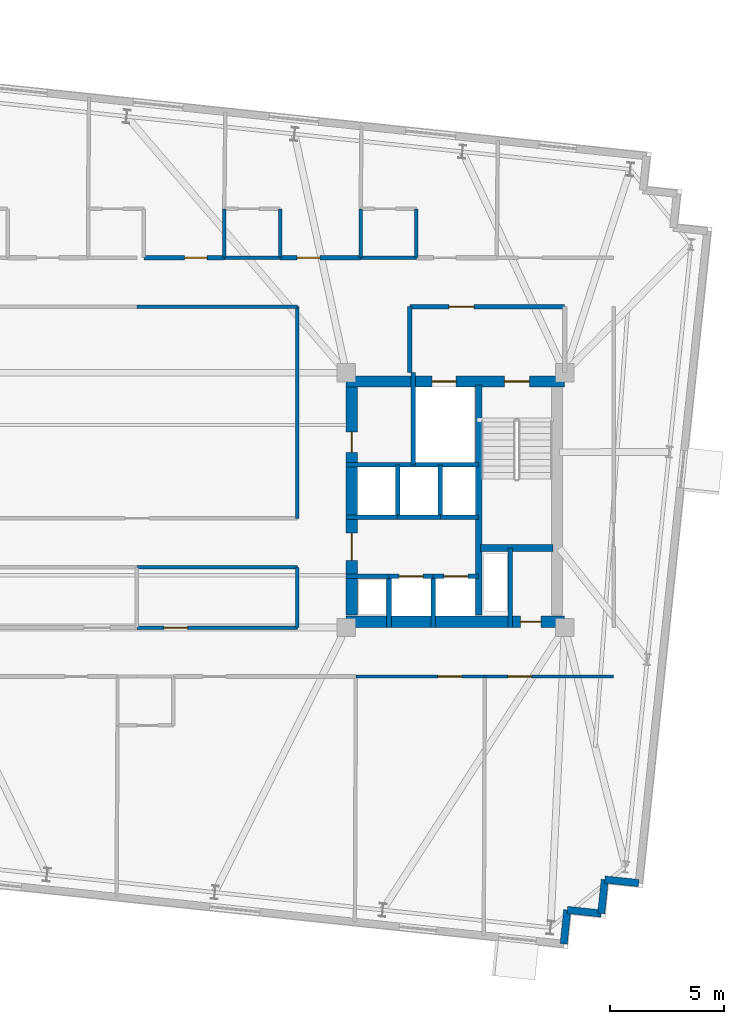
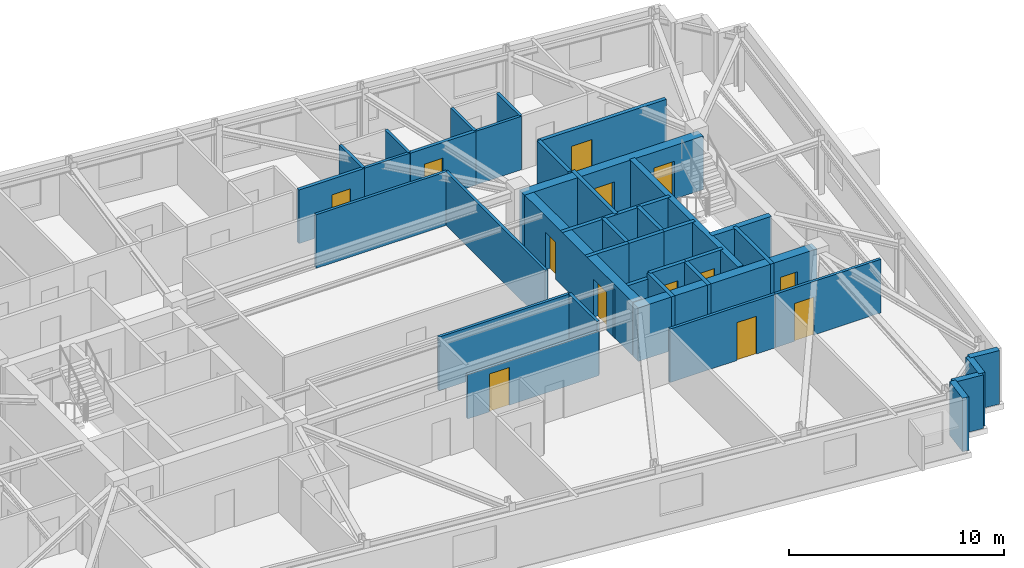
# One storey, part 8 of 12: 39 walls, 13 doors, 13 openings.
"""IFC4 building model written with IfcOpenShell, lengths in metres."""

from ifc_helpers import new_model, si_unit, direction, frame, frame_2d, origin, place, context, subcontext, project, spatial, rectangle, extrude, material, layer, layer_set, type_object, element, fill, save


model = new_model("IFC4")

# Units and contexts
model_context = context("Model", 3, precision=1e-05, world=origin(), true_north=direction((0.0, 1.0)))
body_context = subcontext(model_context, "Body", "Model", "MODEL_VIEW")
ifc_project = project(units=[si_unit("LENGTHUNIT", "METRE"), si_unit("AREAUNIT", "SQUARE_METRE"), si_unit("VOLUMEUNIT", "CUBIC_METRE"), si_unit("PLANEANGLEUNIT", "RADIAN"), si_unit("MASSUNIT", "GRAM", prefix="KILO")], contexts=[model_context])

# Site, building, storey
site_placement = place(None, origin())
site = spatial("IfcSite", under=ifc_project, at=site_placement, CompositionType="ELEMENT")
building_placement = place(site_placement, origin())
building = spatial("IfcBuilding", under=site, at=building_placement, Name="Qobustan Lattice House", CompositionType="ELEMENT")
storey_placement = place(building_placement, frame((0.0, 0.0, 189.699951171875)))
storey = spatial("IfcBuildingStorey", under=building, at=storey_placement, Name="L53", CompositionType="ELEMENT", Elevation=189.699951171875)

# Wall, openings, doors
ifc_material_1 = material(Name="Concrete C50/60", Category="concrete")
ifc_layer_1 = layer(ifc_material_1, 0.5)
ifc_layer_set_1 = layer_set([ifc_layer_1], Name="Concrete C50/60")
wall_type_1 = type_object("IfcWallType", Name="WAL-CORE-500", PredefinedType="SHEAR", material=ifc_layer_set_1)
wall_1_placement = place(storey_placement, frame((9.199951171875, 5.2099609375, 0.0), z_axis=(0.0, 0.0, 1.0), x_axis=(1.0, 0.0, 0.0)))
wall_1 = element("IfcWall", 1, at=wall_1_placement, inside=storey, type_object=wall_type_1, Name="L53 split-core shear wall CE-N", PredefinedType="SHEAR", context=body_context, shape_type="SweptSolid", body=[
    extrude(rectangle(XDim=9.60009765625, YDim=0.5, at=frame_2d((4.800048828125, 0.0))), origin(), (0.0, 0.0, 1.0), 3.0400390625),
])
opening_1_placement = place(wall_1_placement, frame((6.949951171875, 0.0, 0.0)))
opening_1 = element("IfcOpeningElement", 2, at=opening_1_placement, cuts=wall_1, Name="Opening SD-01", PredefinedType="OPENING", context=body_context, shape_type="SweptSolid", body=[
    extrude(rectangle(XDim=1.10009765625, YDim=2.14990234375, at=frame_2d((0.550048828125, 1.074951171875))), frame((0.0, 0.260009765625, 0.0), z_axis=(0.0, -1.0, 0.0), x_axis=(1.0, 0.0, 0.0)), (0.0, 0.0, 1.0), 0.52001953125),
])
opening_2_placement = place(wall_1_placement, frame((3.77490234375, 0.0, 0.0)))
opening_2 = element("IfcOpeningElement", 3, at=opening_2_placement, cuts=wall_1, Name="Opening LD-01", PredefinedType="OPENING", context=body_context, shape_type="SweptSolid", body=[
    extrude(rectangle(XDim=1.050048828125, YDim=2.10009765625, at=frame_2d((0.52490234375, 1.050048828125))), frame((0.0, 0.260009765625, 0.0), z_axis=(0.0, -1.0, 0.0), x_axis=(1.0, 0.0, 0.0)), (0.0, 0.0, 1.0), 0.52001953125),
])
ifc_material_2 = material(Name="Persian walnut timber and steel frame door", Category="steel")
door_type_1 = type_object("IfcDoorType", Name="DOR-LIFT-LD-1050x2100", OperationType="NOTDEFINED", PredefinedType="DOOR", material=ifc_material_2)
door_1_placement = place(opening_2_placement, origin())
door_1 = element("IfcDoor", 4, at=door_1_placement, inside=storey, type_object=door_type_1, Name="L53 firefighting lift FF-E landing door", OperationType="DOUBLE_DOOR_SLIDING", OverallHeight=2.10009765625, OverallWidth=1.050048828125, PredefinedType="DOOR", context=body_context, shape_type="SweptSolid", body=[
    extrude(rectangle(XDim=1.050048828125, YDim=2.10009765625, at=frame_2d((0.52490234375, 1.050048828125))), frame((0.0, 0.02490234375, 0.0), z_axis=(0.0, -1.0, 0.0), x_axis=(1.0, 0.0, 0.0)), (0.0, 0.0, 1.0), 0.050048828125),
])
fill(opening_2, door_1)
ifc_material_3 = material(Name="Persian walnut timber and steel frame door", Category="steel")
door_type_2 = type_object("IfcDoorType", Name="DOR-STAIR-FD-1100x2150", OperationType="NOTDEFINED", PredefinedType="DOOR", material=ifc_material_3)
door_2_placement = place(opening_1_placement, origin())
door_2 = element("IfcDoor", 5, at=door_2_placement, inside=storey, type_object=door_type_2, Name="L53 exit stair ST-E1 fire door", OperationType="SINGLE_SWING_RIGHT", OverallHeight=2.14990234375, OverallWidth=1.10009765625, PredefinedType="DOOR", context=body_context, shape_type="SweptSolid", body=[
    extrude(rectangle(XDim=1.10009765625, YDim=2.14990234375, at=frame_2d((0.550048828125, 1.074951171875))), frame((0.0, 0.02490234375, 0.0), z_axis=(0.0, -1.0, 0.0), x_axis=(1.0, 0.0, 0.0)), (0.0, 0.0, 1.0), 0.050048828125),
])
fill(opening_1, door_2)

# Wall, opening, door
wall_2_placement = place(storey_placement, frame((9.199951171875, -5.35009765625, 0.0), z_axis=(0.0, 0.0, 1.0), x_axis=(1.0, 0.0, 0.0)))
wall_2 = element("IfcWall", 6, at=wall_2_placement, inside=storey, type_object=wall_type_1, Name="L53 split-core shear wall CE-S", PredefinedType="SHEAR", context=body_context, shape_type="SweptSolid", body=[
    extrude(rectangle(XDim=9.60009765625, YDim=0.5, at=frame_2d((4.800048828125, 0.0))), origin(), (0.0, 0.0, 1.0), 3.0400390625),
])
opening_3_placement = place(wall_2_placement, frame((7.64990234375, 0.0, 0.0)))
opening_3 = element("IfcOpeningElement", 7, at=opening_3_placement, cuts=wall_2, Name="Opening RD-01", PredefinedType="OPENING", context=body_context, shape_type="SweptSolid", body=[
    extrude(rectangle(XDim=0.89990234375, YDim=2.10009765625, at=frame_2d((0.449951171875, 1.050048828125))), frame((0.0, 0.260009765625, 0.0), z_axis=(0.0, -1.0, 0.0), x_axis=(1.0, 0.0, 0.0)), (0.0, 0.0, 1.0), 0.52001953125),
])
ifc_material_4 = material(Name="Persian walnut timber and steel frame door", Category="steel")
door_type_3 = type_object("IfcDoorType", Name="DOR-RISER-FD-900x2100", OperationType="NOTDEFINED", PredefinedType="DOOR", material=ifc_material_4)
door_3_placement = place(opening_3_placement, origin())
door_3 = element("IfcDoor", 8, at=door_3_placement, inside=storey, type_object=door_type_3, Name="L53 core service riser access door E", OperationType="SINGLE_SWING_RIGHT", OverallHeight=2.10009765625, OverallWidth=0.89990234375, PredefinedType="DOOR", context=body_context, shape_type="SweptSolid", body=[
    extrude(rectangle(XDim=0.89990234375, YDim=2.10009765625, at=frame_2d((0.449951171875, 1.050048828125))), frame((0.0, 0.02490234375, 0.0), z_axis=(0.0, -1.0, 0.0), x_axis=(1.0, 0.0, 0.0)), (0.0, 0.0, 1.0), 0.050048828125),
])
fill(opening_3, door_3)

# Wall, openings, doors
wall_3_placement = place(storey_placement, frame((9.449951171875, -5.050048828125, 0.0), z_axis=(0.0, 0.0, 1.0), x_axis=(0.0, 1.0, 0.0)))
wall_3 = element("IfcWall", 9, at=wall_3_placement, inside=storey, type_object=wall_type_1, Name="L53 split-core shear wall CE-W", PredefinedType="SHEAR", context=body_context, shape_type="SweptSolid", body=[
    extrude(rectangle(XDim=10.10009765625, YDim=0.5, at=frame_2d((5.050048828125, 0.0))), origin(), (0.0, 0.0, 1.0), 3.0400390625),
])
opening_4_placement = place(wall_3_placement, frame((7.14990234375, 0.0, 0.0)))
opening_4 = element("IfcOpeningElement", 10, at=opening_4_placement, cuts=wall_3, Name="Opening RD-01", PredefinedType="OPENING", context=body_context, shape_type="SweptSolid", body=[
    extrude(rectangle(XDim=0.89990234375, YDim=2.10009765625, at=frame_2d((0.449951171875, 1.050048828125))), frame((0.0, 0.260009765625, 0.0), z_axis=(0.0, -1.0, 0.0), x_axis=(1.0, 0.0, 0.0)), (0.0, 0.0, 1.0), 0.52001953125),
])
opening_5_placement = place(wall_3_placement, frame((2.39990234375, 0.0, 0.0)))
opening_5 = element("IfcOpeningElement", 11, at=opening_5_placement, cuts=wall_3, Name="Opening FD-01", PredefinedType="OPENING", context=body_context, shape_type="SweptSolid", body=[
    extrude(rectangle(XDim=1.199951171875, YDim=2.14990234375, at=frame_2d((0.60009765625, 1.074951171875))), frame((0.0, 0.260009765625, 0.0), z_axis=(0.0, -1.0, 0.0), x_axis=(1.0, 0.0, 0.0)), (0.0, 0.0, 1.0), 0.52001953125),
])
ifc_material_5 = material(Name="Persian walnut timber and steel frame door", Category="steel")
door_type_4 = type_object("IfcDoorType", Name="DOR-LOBBY-FD-1200x2150", OperationType="NOTDEFINED", PredefinedType="DOOR", material=ifc_material_5)
door_4_placement = place(opening_5_placement, origin())
door_4 = element("IfcDoor", 12, at=door_4_placement, inside=storey, type_object=door_type_4, Name="L53 East passenger lift lobby fire door", OperationType="SINGLE_SWING_LEFT", OverallHeight=2.14990234375, OverallWidth=1.199951171875, PredefinedType="DOOR", context=body_context, shape_type="SweptSolid", body=[
    extrude(rectangle(XDim=1.199951171875, YDim=2.14990234375, at=frame_2d((0.60009765625, 1.074951171875))), frame((0.0, 0.02490234375, 0.0), z_axis=(0.0, -1.0, 0.0), x_axis=(1.0, 0.0, 0.0)), (0.0, 0.0, 1.0), 0.050048828125),
])
fill(opening_5, door_4)
door_5_placement = place(opening_4_placement, origin())
door_5 = element("IfcDoor", 13, at=door_5_placement, inside=storey, type_object=door_type_3, Name="L53 Housekeeping linen store fire door", OperationType="SINGLE_SWING_RIGHT", OverallHeight=2.10009765625, OverallWidth=0.89990234375, PredefinedType="DOOR", context=body_context, shape_type="SweptSolid", body=[
    extrude(rectangle(XDim=0.89990234375, YDim=2.10009765625, at=frame_2d((0.449951171875, 1.050048828125))), frame((0.0, 0.02490234375, 0.0), z_axis=(0.0, -1.0, 0.0), x_axis=(1.0, 0.0, 0.0)), (0.0, 0.0, 1.0), 0.050048828125),
])
fill(opening_4, door_5)

# Walls
ifc_material_6 = material(Name="Concrete C50/60", Category="concrete")
ifc_layer_2 = layer(ifc_material_6, 0.280029296875)
ifc_layer_set_2 = layer_set([ifc_layer_2], Name="Concrete C50/60")
wall_type_2 = type_object("IfcWallType", Name="WAL-CORE-SPINE-280", PredefinedType="SHEAR", material=ifc_layer_set_2)
wall_4_placement = place(storey_placement, frame((15.02001953125, -5.050048828125, 0.0), z_axis=(0.0, 0.0, 1.0), x_axis=(0.0, 1.0, 0.0)))
element("IfcWall", 14, at=wall_4_placement, inside=storey, type_object=wall_type_2, Name="L53 split-core shear wall CE-M", PredefinedType="SHEAR", context=body_context, shape_type="SweptSolid", body=[
    extrude(rectangle(XDim=10.10009765625, YDim=0.300048828125, at=frame_2d((5.050048828125, 0.0))), origin(), (0.0, 0.0, 1.0), 3.0400390625),
])
wall_5_placement = place(storey_placement, frame((15.10009765625, -2.110107421875, 0.0), z_axis=(0.0, 0.0, 1.0), x_axis=(1.0, 0.0, 0.0)))
element("IfcWall", 15, at=wall_5_placement, inside=storey, type_object=wall_type_2, Name="L53 split-core shear wall CE-ST", PredefinedType="SHEAR", context=body_context, shape_type="SweptSolid", body=[
    extrude(rectangle(XDim=3.179931640625, YDim=0.300048828125, at=frame_2d((1.58984375, 0.0))), origin(), (0.0, 0.0, 1.0), 3.0400390625),
])
ifc_material_7 = material(Name="Precast concrete C40/50", Category="concrete")
ifc_layer_3 = layer(ifc_material_7, 0.320068359375)
ifc_layer_set_3 = layer_set([ifc_layer_3], Name="Precast concrete C40/50")
wall_type_3 = type_object("IfcWallType", Name="WAL-EXT-STONE-320", PredefinedType="SOLIDWALL", material=ifc_layer_set_3)
wall_6_placement = place(storey_placement, frame((22.052978515625, -16.828369140625, 0.0), z_axis=(0.0, 0.0, 1.0), x_axis=(-0.994526834051, 0.104481464157, 0.0)))
element("IfcWall", 16, at=wall_6_placement, inside=storey, type_object=wall_type_3, Name="L53 exterior limestone-clad wall 16", PredefinedType="SOLIDWALL", context=body_context, shape_type="SweptSolid", body=[
    extrude(rectangle(XDim=1.500244140625, YDim=0.320068359375, at=frame_2d((0.75, 0.0))), origin(), (0.0, 0.0, 1.0), 3.0400390625),
])
for number, where, z_axis, x_axis, name in (
    (17, (20.56103515625, -16.671630859375, 0.0), (0.0, 0.0, 1.0), (-0.104498377516, -0.994525057048, 0.0), "L53 exterior limestone-clad wall 17"),
    (18, (20.404296875, -18.163330078125, 0.0), (0.0, 0.0, 1.0), (-0.994525057048, 0.104498377516, 0.0), "L53 exterior limestone-clad wall 18"),
    (19, (18.91259765625, -18.006591796875, 0.0), (0.0, 0.0, 1.0), (-0.104498377516, -0.994525057048, 0.0), "L53 exterior limestone-clad wall 19"),
):
    element("IfcWall", number, at=place(storey_placement, frame(where, z_axis=z_axis, x_axis=x_axis)), inside=storey, type_object=wall_type_3, Name=name, PredefinedType="SOLIDWALL", context=body_context, shape_type="SweptSolid", body=[
        extrude(rectangle(XDim=1.5, YDim=0.320068359375, at=frame_2d((0.75, 0.0))), origin(), (0.0, 0.0, 1.0), 3.0400390625),
    ])

# Wall, opening, door
ifc_material_8 = material(Name="Gypsum fireboard acoustic partition", Category="gypsum")
ifc_layer_4 = layer(ifc_material_8, 0.179931640625)
ifc_layer_set_4 = layer_set([ifc_layer_4], Name="Gypsum fireboard acoustic partition")
wall_type_4 = type_object("IfcWallType", Name="WAL-FIRE-180", PredefinedType="PARTITIONING", material=ifc_layer_set_4)
wall_7_placement = place(storey_placement, frame((0.306884765625, 10.64990234375, 0.0), z_axis=(0.0, 0.0, 1.0), x_axis=(1.0, 0.0, 0.0)))
wall_7 = element("IfcWall", 20, at=wall_7_placement, inside=storey, type_object=wall_type_4, Name="L53 interior partition 40", PredefinedType="PARTITIONING", context=body_context, shape_type="SweptSolid", body=[
    extrude(rectangle(XDim=3.5361328125, YDim=0.179931640625, at=frame_2d((1.76806640625, 0.0))), origin(), (0.0, 0.0, 1.0), 3.0400390625),
])
opening_6_placement = place(wall_7_placement, frame((1.783935546875, 0.0, 0.0)))
opening_6 = element("IfcOpeningElement", 21, at=opening_6_placement, cuts=wall_7, Name="Opening FD-02", PredefinedType="OPENING", context=body_context, shape_type="SweptSolid", body=[
    extrude(rectangle(XDim=1.0, YDim=2.14990234375, at=frame_2d((0.5, 1.074951171875))), frame((0.0, 0.099853515625, 0.0), z_axis=(0.0, -1.0, 0.0), x_axis=(1.0, 0.0, 0.0)), (0.0, 0.0, 1.0), 0.199951171875),
])
ifc_material_9 = material(Name="Persian walnut timber and steel frame door", Category="steel")
door_type_5 = type_object("IfcDoorType", Name="DOR-UNIT-FD-1000x2150", OperationType="NOTDEFINED", PredefinedType="DOOR", material=ifc_material_9)
door_6_placement = place(opening_6_placement, origin())
door_6 = element("IfcDoor", 22, at=door_6_placement, inside=storey, type_object=door_type_5, Name="L53 North-east floor corridor to Kitchenette and studio apartment L53-N4 door", OperationType="SINGLE_SWING_LEFT", OverallHeight=2.14990234375, OverallWidth=1.0, PredefinedType="DOOR", context=body_context, shape_type="SweptSolid", body=[
    extrude(rectangle(XDim=1.0, YDim=2.14990234375, at=frame_2d((0.5, 1.074951171875))), frame((0.0, 0.02490234375, 0.0), z_axis=(0.0, -1.0, 0.0), x_axis=(1.0, 0.0, 0.0)), (0.0, 0.0, 1.0), 0.050048828125),
])
fill(opening_6, door_6)

wall_8_placement = place(storey_placement, frame((6.29296875, 10.64990234375, 0.0), z_axis=(0.0, 0.0, 1.0), x_axis=(1.0, 0.0, 0.0)))
wall_8 = element("IfcWall", 23, at=wall_8_placement, inside=storey, type_object=wall_type_4, Name="L53 interior partition 41", PredefinedType="PARTITIONING", context=body_context, shape_type="SweptSolid", body=[
    extrude(rectangle(XDim=3.5361328125, YDim=0.179931640625, at=frame_2d((1.76806640625, 0.0))), origin(), (0.0, 0.0, 1.0), 3.0400390625),
])
opening_7_placement = place(wall_8_placement, frame((0.751953125, 0.0, 0.0)))
opening_7 = element("IfcOpeningElement", 24, at=opening_7_placement, cuts=wall_8, Name="Opening FD-02", PredefinedType="OPENING", context=body_context, shape_type="SweptSolid", body=[
    extrude(rectangle(XDim=1.0, YDim=2.14990234375, at=frame_2d((0.5, 1.074951171875))), frame((0.0, 0.099853515625, 0.0), z_axis=(0.0, -1.0, 0.0), x_axis=(1.0, 0.0, 0.0)), (0.0, 0.0, 1.0), 0.199951171875),
])
door_7_placement = place(opening_7_placement, origin())
door_7 = element("IfcDoor", 25, at=door_7_placement, inside=storey, type_object=door_type_5, Name="L53 North-east floor corridor to Kitchenette and studio apartment L53-N5 door", OperationType="SINGLE_SWING_RIGHT", OverallHeight=2.14990234375, OverallWidth=1.0, PredefinedType="DOOR", context=body_context, shape_type="SweptSolid", body=[
    extrude(rectangle(XDim=1.0, YDim=2.14990234375, at=frame_2d((0.5, 1.074951171875))), frame((0.0, 0.02490234375, 0.0), z_axis=(0.0, -1.0, 0.0), x_axis=(1.0, 0.0, 0.0)), (0.0, 0.0, 1.0), 0.050048828125),
])
fill(opening_7, door_7)

# Wall
ifc_material_10 = material(Name="Acoustic twin-stud gypsum partition", Category="gypsum")
ifc_layer_5 = layer(ifc_material_10, 0.14990234375)
ifc_layer_set_5 = layer_set([ifc_layer_5], Name="Acoustic twin-stud gypsum partition")
wall_type_5 = type_object("IfcWallType", Name="WAL-PART-150", PredefinedType="PARTITIONING", material=ifc_layer_set_5)
wall_9_placement = place(storey_placement, frame((7.050048828125, 8.5, 0.0), z_axis=(0.0, 0.0, 1.0), x_axis=(-1.0, 0.0, 0.0)))
element("IfcWall", 26, at=wall_9_placement, inside=storey, type_object=wall_type_5, Name="L53 interior partition 46", PredefinedType="PARTITIONING", context=body_context, shape_type="SweptSolid", body=[
    extrude(rectangle(XDim=7.050048828125, YDim=0.14990234375, at=frame_2d((3.52490234375, 0.0))), origin(), (0.0, 0.0, 1.0), 3.0400390625),
])

# Wall, opening, door
wall_10_placement = place(storey_placement, frame((15.28759765625, -7.75, 0.0), z_axis=(0.0, 0.0, 1.0), x_axis=(-1.0, 0.0, 0.0)))
wall_10 = element("IfcWall", 27, at=wall_10_placement, inside=storey, type_object=wall_type_5, Name="L53 interior partition 55", PredefinedType="PARTITIONING", context=body_context, shape_type="SweptSolid", body=[
    extrude(rectangle(XDim=5.66259765625, YDim=0.14990234375, at=frame_2d((2.831298828125, 0.0))), origin(), (0.0, 0.0, 1.0), 3.0400390625),
])
opening_8_placement = place(wall_10_placement, frame((1.01171875, 0.0, 0.0)))
opening_8 = element("IfcOpeningElement", 28, at=opening_8_placement, cuts=wall_10, Name="Opening ID-02", PredefinedType="OPENING", context=body_context, shape_type="SweptSolid", body=[
    extrude(rectangle(XDim=1.050048828125, YDim=2.14990234375, at=frame_2d((0.52490234375, 1.074951171875))), frame((0.0, 0.0849609375, 0.0), z_axis=(0.0, -1.0, 0.0), x_axis=(1.0, 0.0, 0.0)), (0.0, 0.0, 1.0), 0.169921875),
])
ifc_material_11 = material(Name="Persian walnut timber and steel frame door", Category="steel")
door_type_6 = type_object("IfcDoorType", Name="DOR-STUDY-1050x2150", OperationType="NOTDEFINED", PredefinedType="DOOR", material=ifc_material_11)
door_8_placement = place(opening_8_placement, origin())
door_8 = element("IfcDoor", 29, at=door_8_placement, inside=storey, type_object=door_type_6, Name="L53 South-east floor corridor to Group study room door", OperationType="SINGLE_SWING_RIGHT", OverallHeight=2.14990234375, OverallWidth=1.050048828125, PredefinedType="DOOR", context=body_context, shape_type="SweptSolid", body=[
    extrude(rectangle(XDim=1.050048828125, YDim=2.14990234375, at=frame_2d((0.52490234375, 1.074951171875))), frame((0.0, 0.02490234375, 0.0), z_axis=(0.0, -1.0, 0.0), x_axis=(1.0, 0.0, 0.0)), (0.0, 0.0, 1.0), 0.050048828125),
])
fill(opening_8, door_8)

wall_11_placement = place(storey_placement, frame((20.949951171875, -7.75, 0.0), z_axis=(0.0, 0.0, 1.0), x_axis=(-1.0, 0.0, 0.0)))
wall_11 = element("IfcWall", 30, at=wall_11_placement, inside=storey, type_object=wall_type_5, Name="L53 interior partition 56", PredefinedType="PARTITIONING", context=body_context, shape_type="SweptSolid", body=[
    extrude(rectangle(XDim=5.662353515625, YDim=0.14990234375, at=frame_2d((2.8310546875, 0.0))), origin(), (0.0, 0.0, 1.0), 3.0400390625),
])
opening_9_placement = place(wall_11_placement, frame((3.600830078125, 0.0, 0.0)))
opening_9 = element("IfcOpeningElement", 31, at=opening_9_placement, cuts=wall_11, Name="Opening ID-02", PredefinedType="OPENING", context=body_context, shape_type="SweptSolid", body=[
    extrude(rectangle(XDim=1.050048828125, YDim=2.14990234375, at=frame_2d((0.52490234375, 1.074951171875))), frame((0.0, 0.0849609375, 0.0), z_axis=(0.0, -1.0, 0.0), x_axis=(1.0, 0.0, 0.0)), (0.0, 0.0, 1.0), 0.169921875),
])
door_9_placement = place(opening_9_placement, origin())
door_9 = element("IfcDoor", 32, at=door_9_placement, inside=storey, type_object=door_type_6, Name="L53 South-east floor corridor to Academic seminar room door", OperationType="SINGLE_SWING_LEFT", OverallHeight=2.14990234375, OverallWidth=1.050048828125, PredefinedType="DOOR", context=body_context, shape_type="SweptSolid", body=[
    extrude(rectangle(XDim=1.050048828125, YDim=2.14990234375, at=frame_2d((0.52490234375, 1.074951171875))), frame((0.0, 0.02490234375, 0.0), z_axis=(0.0, -1.0, 0.0), x_axis=(1.0, 0.0, 0.0)), (0.0, 0.0, 1.0), 0.050048828125),
])
fill(opening_9, door_9)

wall_12_placement = place(storey_placement, frame((0.0, -5.60009765625, 0.0), z_axis=(0.0, 0.0, 1.0), x_axis=(1.0, 0.0, 0.0)))
wall_12 = element("IfcWall", 33, at=wall_12_placement, inside=storey, type_object=wall_type_5, Name="L53 interior partition 57", PredefinedType="PARTITIONING", context=body_context, shape_type="SweptSolid", body=[
    extrude(rectangle(XDim=7.050048828125, YDim=0.14990234375, at=frame_2d((3.52490234375, 0.0))), origin(), (0.0, 0.0, 1.0), 2.525146484375),
])
opening_10_placement = place(wall_12_placement, frame((1.18505859375, 0.0, 0.0)))
opening_10 = element("IfcOpeningElement", 34, at=opening_10_placement, cuts=wall_12, Name="Opening ID-02", PredefinedType="OPENING", context=body_context, shape_type="SweptSolid", body=[
    extrude(rectangle(XDim=1.050048828125, YDim=2.14990234375, at=frame_2d((0.52490234375, 1.074951171875))), frame((0.0, 0.0849609375, 0.0), z_axis=(0.0, -1.0, 0.0), x_axis=(1.0, 0.0, 0.0)), (0.0, 0.0, 1.0), 0.169921875),
])
door_10_placement = place(opening_10_placement, origin())
door_10 = element("IfcDoor", 35, at=door_10_placement, inside=storey, type_object=door_type_6, Name="L53 South-east floor corridor to Silent study room door", OperationType="SINGLE_SWING_RIGHT", OverallHeight=2.14990234375, OverallWidth=1.050048828125, PredefinedType="DOOR", context=body_context, shape_type="SweptSolid", body=[
    extrude(rectangle(XDim=1.050048828125, YDim=2.14990234375, at=frame_2d((0.52490234375, 1.074951171875))), frame((0.0, 0.02490234375, 0.0), z_axis=(0.0, -1.0, 0.0), x_axis=(1.0, 0.0, 0.0)), (0.0, 0.0, 1.0), 0.050048828125),
])
fill(opening_10, door_10)

# Walls
wall_13_placement = place(storey_placement, frame((7.050048828125, -2.949951171875, 0.0), z_axis=(0.0, 0.0, 1.0), x_axis=(-1.0, 0.0, 0.0)))
element("IfcWall", 36, at=wall_13_placement, inside=storey, type_object=wall_type_5, Name="L53 interior partition 62", PredefinedType="PARTITIONING", context=body_context, shape_type="SweptSolid", body=[
    extrude(rectangle(XDim=7.050048828125, YDim=0.14990234375, at=frame_2d((3.52490234375, 0.0))), origin(), (0.0, 0.0, 1.0), 3.0400390625),
])
wall_14_placement = place(storey_placement, frame((7.050048828125, -0.800048828125, 0.0), z_axis=(0.0, 0.0, 1.0), x_axis=(0.0, 1.0, 0.0)))
element("IfcWall", 37, at=wall_14_placement, inside=storey, type_object=wall_type_5, Name="L53 interior partition 65", PredefinedType="PARTITIONING", context=body_context, shape_type="SweptSolid", body=[
    extrude(rectangle(XDim=9.300048828125, YDim=0.14990234375, at=frame_2d((4.64990234375, 0.0))), origin(), (0.0, 0.0, 1.0), 3.0400390625),
])
wall_15_placement = place(storey_placement, frame((7.050048828125, -5.60009765625, 0.0), z_axis=(0.0, 0.0, 1.0), x_axis=(0.0, 1.0, 0.0)))
element("IfcWall", 38, at=wall_15_placement, inside=storey, type_object=wall_type_5, Name="L53 interior partition 66", PredefinedType="PARTITIONING", context=body_context, shape_type="SweptSolid", body=[
    extrude(rectangle(XDim=2.650146484375, YDim=0.14990234375, at=frame_2d((1.3251953125, 0.0))), origin(), (0.0, 0.0, 1.0), 3.0400390625),
])

# Wall, opening, door
ifc_material_12 = material(Name="Two-hour gypsum fireboard acoustic partition", Category="gypsum")
ifc_layer_6 = layer(ifc_material_12, 0.199951171875)
ifc_layer_set_6 = layer_set([ifc_layer_6], Name="Two-hour gypsum fireboard acoustic partition")
wall_type_6 = type_object("IfcWallType", Name="WAL-PROT-200", PredefinedType="PARTITIONING", material=ifc_layer_set_6)
wall_16_placement = place(storey_placement, frame((18.800048828125, 8.5, 0.0), z_axis=(0.0, 0.0, 1.0), x_axis=(-1.0, 0.0, 0.0)))
wall_16 = element("IfcWall", 39, at=wall_16_placement, inside=storey, type_object=wall_type_6, Name="L53 interior partition 17", PredefinedType="PARTITIONING", context=body_context, shape_type="SweptSolid", body=[
    extrude(rectangle(XDim=6.800048828125, YDim=0.199951171875, at=frame_2d((3.39990234375, 0.0))), origin(), (0.0, 0.0, 1.0), 3.0400390625),
])
opening_11_placement = place(wall_16_placement, frame((3.985107421875, 0.0, 0.0)))
opening_11 = element("IfcOpeningElement", 40, at=opening_11_placement, cuts=wall_16, Name="Opening SD-01", PredefinedType="OPENING", context=body_context, shape_type="SweptSolid", body=[
    extrude(rectangle(XDim=1.10009765625, YDim=2.14990234375, at=frame_2d((0.550048828125, 1.074951171875))), frame((0.0, 0.10986328125, 0.0), z_axis=(0.0, -1.0, 0.0), x_axis=(1.0, 0.0, 0.0)), (0.0, 0.0, 1.0), 0.219970703125),
])
door_11_placement = place(opening_11_placement, origin())
door_11 = element("IfcDoor", 41, at=door_11_placement, inside=storey, type_object=door_type_2, Name="L53 East firefighting lift lobby to North-east floor corridor door", OperationType="SINGLE_SWING_LEFT", OverallHeight=2.14990234375, OverallWidth=1.10009765625, PredefinedType="DOOR", context=body_context, shape_type="SweptSolid", body=[
    extrude(rectangle(XDim=1.10009765625, YDim=2.14990234375, at=frame_2d((0.550048828125, 1.074951171875))), frame((0.0, 0.02490234375, 0.0), z_axis=(0.0, -1.0, 0.0), x_axis=(1.0, 0.0, 0.0)), (0.0, 0.0, 1.0), 0.050048828125),
])
fill(opening_11, door_11)

# Walls
wall_17_placement = place(storey_placement, frame((12.0, 8.5, 0.0), z_axis=(0.0, 0.0, 1.0), x_axis=(0.0, -1.0, 0.0)))
element("IfcWall", 42, at=wall_17_placement, inside=storey, type_object=wall_type_6, Name="L53 interior partition 19", PredefinedType="PARTITIONING", context=body_context, shape_type="SweptSolid", body=[
    extrude(rectangle(XDim=2.89990234375, YDim=0.199951171875, at=frame_2d((1.449951171875, 0.0))), origin(), (0.0, 0.0, 1.0), 3.0400390625),
])
ifc_material_13 = material(Name="Concrete C40/50", Category="concrete")
ifc_layer_7 = layer(ifc_material_13, 0.199951171875)
ifc_layer_set_7 = layer_set([ifc_layer_7], Name="Concrete C40/50")
wall_type_7 = type_object("IfcWallType", Name="WAL-SHAFT-200", PredefinedType="PARTITIONING", material=ifc_layer_set_7)
wall_18_placement = place(storey_placement, frame((16.39990234375, -2.110107421875, 0.0), z_axis=(0.0, 0.0, 1.0), x_axis=(0.0, -1.0, 0.0)))
element("IfcWall", 43, at=wall_18_placement, inside=storey, type_object=wall_type_7, Name="L53 interior partition 15", PredefinedType="PARTITIONING", context=body_context, shape_type="SweptSolid", body=[
    extrude(rectangle(XDim=3.489990234375, YDim=0.199951171875, at=frame_2d((1.7451171875, 0.0))), origin(), (0.0, 0.0, 1.0), 3.0400390625),
])
wall_19_placement = place(storey_placement, frame((12.14990234375, 5.60009765625, 0.0), z_axis=(0.0, 0.0, 1.0), x_axis=(0.0, -1.0, 0.0)))
element("IfcWall", 44, at=wall_19_placement, inside=storey, type_object=wall_type_7, Name="L53 interior partition 16", PredefinedType="PARTITIONING", context=body_context, shape_type="SweptSolid", body=[
    extrude(rectangle(XDim=4.050048828125, YDim=0.199951171875, at=frame_2d((2.02490234375, 0.0))), origin(), (0.0, 0.0, 1.0), 3.0400390625),
])
wall_20_placement = place(storey_placement, frame((9.199951171875, -3.35009765625, 0.0), z_axis=(0.0, 0.0, 1.0), x_axis=(1.0, 0.0, 0.0)))
element("IfcWall", 45, at=wall_20_placement, inside=storey, type_object=wall_type_7, Name="L53 interior partition 21", PredefinedType="PARTITIONING", context=body_context, shape_type="SweptSolid", body=[
    extrude(rectangle(XDim=1.880126953125, YDim=0.199951171875, at=frame_2d((0.93994140625, 0.0))), origin(), (0.0, 0.0, 1.0), 2.755126953125),
])

# Wall, opening, door
wall_21_placement = place(storey_placement, frame((11.080078125, -3.35009765625, 0.0), z_axis=(0.0, 0.0, 1.0), x_axis=(1.0, 0.0, 0.0)))
wall_21 = element("IfcWall", 46, at=wall_21_placement, inside=storey, type_object=wall_type_7, Name="L53 interior partition 22", PredefinedType="PARTITIONING", context=body_context, shape_type="SweptSolid", body=[
    extrude(rectangle(XDim=1.93994140625, YDim=0.199951171875, at=frame_2d((0.969970703125, 0.0))), origin(), (0.0, 0.0, 1.0), 3.0400390625),
])
opening_12_placement = place(wall_21_placement, frame((0.445068359375, 0.0, 0.0)))
opening_12 = element("IfcOpeningElement", 47, at=opening_12_placement, cuts=wall_21, Name="Opening LD-01", PredefinedType="OPENING", context=body_context, shape_type="SweptSolid", body=[
    extrude(rectangle(XDim=1.050048828125, YDim=2.10009765625, at=frame_2d((0.52490234375, 1.050048828125))), frame((0.0, 0.10986328125, 0.0), z_axis=(0.0, -1.0, 0.0), x_axis=(1.0, 0.0, 0.0)), (0.0, 0.0, 1.0), 0.219970703125),
])
door_12_placement = place(opening_12_placement, origin())
door_12 = element("IfcDoor", 48, at=door_12_placement, inside=storey, type_object=door_type_1, Name="L53 lift landing door", OperationType="DOUBLE_DOOR_SLIDING", OverallHeight=2.10009765625, OverallWidth=1.050048828125, PredefinedType="DOOR", context=body_context, shape_type="SweptSolid", body=[
    extrude(rectangle(XDim=1.050048828125, YDim=2.10009765625, at=frame_2d((0.52490234375, 1.050048828125))), frame((0.0, 0.02490234375, 0.0), z_axis=(0.0, -1.0, 0.0), x_axis=(1.0, 0.0, 0.0)), (0.0, 0.0, 1.0), 0.050048828125),
])
fill(opening_12, door_12)

wall_22_placement = place(storey_placement, frame((13.02001953125, -3.35009765625, 0.0), z_axis=(0.0, 0.0, 1.0), x_axis=(1.0, 0.0, 0.0)))
wall_22 = element("IfcWall", 49, at=wall_22_placement, inside=storey, type_object=wall_type_7, Name="L53 interior partition 23", PredefinedType="PARTITIONING", context=body_context, shape_type="SweptSolid", body=[
    extrude(rectangle(XDim=2.0, YDim=0.199951171875, at=frame_2d((1.0, 0.0))), origin(), (0.0, 0.0, 1.0), 3.0400390625),
])
opening_13_placement = place(wall_22_placement, frame((0.47509765625, 0.0, 0.0)))
opening_13 = element("IfcOpeningElement", 50, at=opening_13_placement, cuts=wall_22, Name="Opening LD-01", PredefinedType="OPENING", context=body_context, shape_type="SweptSolid", body=[
    extrude(rectangle(XDim=1.050048828125, YDim=2.10009765625, at=frame_2d((0.52490234375, 1.050048828125))), frame((0.0, 0.10986328125, 0.0), z_axis=(0.0, -1.0, 0.0), x_axis=(1.0, 0.0, 0.0)), (0.0, 0.0, 1.0), 0.219970703125),
])
door_13_placement = place(opening_13_placement, origin())
door_13 = element("IfcDoor", 51, at=door_13_placement, inside=storey, type_object=door_type_1, Name="L53 lift landing door", OperationType="DOUBLE_DOOR_SLIDING", OverallHeight=2.10009765625, OverallWidth=1.050048828125, PredefinedType="DOOR", context=body_context, shape_type="SweptSolid", body=[
    extrude(rectangle(XDim=1.050048828125, YDim=2.10009765625, at=frame_2d((0.52490234375, 1.050048828125))), frame((0.0, 0.02490234375, 0.0), z_axis=(0.0, -1.0, 0.0), x_axis=(1.0, 0.0, 0.0)), (0.0, 0.0, 1.0), 0.050048828125),
])
fill(opening_13, door_13)

# Walls
wall_23_placement = place(storey_placement, frame((11.4599609375, -0.75, 0.0), z_axis=(0.0, 0.0, 1.0), x_axis=(-1.0, 0.0, 0.0)))
element("IfcWall", 52, at=wall_23_placement, inside=storey, type_object=wall_type_7, Name="L53 interior partition 24", PredefinedType="PARTITIONING", context=body_context, shape_type="SweptSolid", body=[
    extrude(rectangle(XDim=2.260009765625, YDim=0.199951171875, at=frame_2d((1.1298828125, 0.0))), origin(), (0.0, 0.0, 1.0), 3.0400390625),
])
wall_24_placement = place(storey_placement, frame((13.340087890625, -0.75, 0.0), z_axis=(0.0, 0.0, 1.0), x_axis=(-1.0, 0.0, 0.0)))
element("IfcWall", 53, at=wall_24_placement, inside=storey, type_object=wall_type_7, Name="L53 interior partition 25", PredefinedType="PARTITIONING", context=body_context, shape_type="SweptSolid", body=[
    extrude(rectangle(XDim=1.880126953125, YDim=0.199951171875, at=frame_2d((0.93994140625, 0.0))), origin(), (0.0, 0.0, 1.0), 3.0400390625),
])
wall_25_placement = place(storey_placement, frame((15.02001953125, -0.75, 0.0), z_axis=(0.0, 0.0, 1.0), x_axis=(-1.0, 0.0, 0.0)))
element("IfcWall", 54, at=wall_25_placement, inside=storey, type_object=wall_type_7, Name="L53 interior partition 26", PredefinedType="PARTITIONING", context=body_context, shape_type="SweptSolid", body=[
    extrude(rectangle(XDim=1.679931640625, YDim=0.199951171875, at=frame_2d((0.83984375, 0.0))), origin(), (0.0, 0.0, 1.0), 3.0400390625),
])
for number, where, z_axis, x_axis, name in (
    (55, (11.080078125, -5.60009765625, 0.0), (0.0, 0.0, 1.0), (0.0, 1.0, 0.0), "L53 interior partition 28"),
    (56, (13.02001953125, -5.60009765625, 0.0), (0.0, 0.0, 1.0), (0.0, 1.0, 0.0), "L53 interior partition 29"),
):
    element("IfcWall", number, at=place(storey_placement, frame(where, z_axis=z_axis, x_axis=x_axis)), inside=storey, type_object=wall_type_7, Name=name, PredefinedType="PARTITIONING", context=body_context, shape_type="SweptSolid", body=[
        extrude(rectangle(XDim=2.25, YDim=0.199951171875, at=frame_2d((1.125, 0.0))), origin(), (0.0, 0.0, 1.0), 3.0400390625),
    ])
for number, where, z_axis, x_axis, name in (
    (57, (11.4599609375, -0.75, 0.0), (0.0, 0.0, 1.0), (0.0, 1.0, 0.0), "L53 interior partition 30"),
    (58, (13.340087890625, -0.75, 0.0), (0.0, 0.0, 1.0), (0.0, 1.0, 0.0), "L53 interior partition 31"),
):
    element("IfcWall", number, at=place(storey_placement, frame(where, z_axis=z_axis, x_axis=x_axis)), inside=storey, type_object=wall_type_7, Name=name, PredefinedType="PARTITIONING", context=body_context, shape_type="SweptSolid", body=[
        extrude(rectangle(XDim=2.300048828125, YDim=0.199951171875, at=frame_2d((1.14990234375, 0.0))), origin(), (0.0, 0.0, 1.0), 3.0400390625),
    ])
wall_26_placement = place(storey_placement, frame((9.199951171875, 1.550048828125, 0.0), z_axis=(0.0, 0.0, 1.0), x_axis=(1.0, 0.0, 0.0)))
element("IfcWall", 59, at=wall_26_placement, inside=storey, type_object=wall_type_7, Name="L53 interior partition 113", PredefinedType="PARTITIONING", context=body_context, shape_type="SweptSolid", body=[
    extrude(rectangle(XDim=5.820068359375, YDim=0.199951171875, at=frame_2d((2.91015625, 0.0))), origin(), (0.0, 0.0, 1.0), 3.0400390625),
])
ifc_material_14 = material(Name="Moisture-resistant acoustic plumbing wall", Category="gypsum")
ifc_layer_8 = layer(ifc_material_14, 0.14990234375)
ifc_layer_set_8 = layer_set([ifc_layer_8], Name="Moisture-resistant acoustic plumbing wall")
wall_type_8 = type_object("IfcWallType", Name="WAL-WET-150", PredefinedType="PLUMBINGWALL", material=ifc_layer_set_8)
for number, where, z_axis, x_axis, name in (
    (60, (3.843017578125, 10.64990234375, 0.0), (0.0, 0.0, 1.0), (1.0, 0.0, 0.0), "L53 interior partition 42"),
    (61, (9.8291015625, 10.64990234375, 0.0), (0.0, 0.0, 1.0), (1.0, 0.0, 0.0), "L53 interior partition 44"),
):
    element("IfcWall", number, at=place(storey_placement, frame(where, z_axis=z_axis, x_axis=x_axis)), inside=storey, type_object=wall_type_8, Name=name, PredefinedType="PLUMBINGWALL", context=body_context, shape_type="SweptSolid", body=[
        extrude(rectangle(XDim=2.449951171875, YDim=0.14990234375, at=frame_2d((1.22509765625, 0.0))), origin(), (0.0, 0.0, 1.0), 3.0400390625),
    ])
for number, where, z_axis, x_axis, name in (
    (62, (3.843017578125, 12.800048828125, 0.0), (0.0, 0.0, 1.0), (0.0, -1.0, 0.0), "L53 interior partition 93"),
    (63, (6.29296875, 10.64990234375, 0.0), (0.0, 0.0, 1.0), (0.0, 1.0, 0.0), "L53 interior partition 95"),
    (64, (9.8291015625, 12.800048828125, 0.0), (0.0, 0.0, 1.0), (0.0, -1.0, 0.0), "L53 interior partition 97"),
    (65, (12.279052734375, 10.64990234375, 0.0), (0.0, 0.0, 1.0), (0.0, 1.0, 0.0), "L53 interior partition 99"),
):
    element("IfcWall", number, at=place(storey_placement, frame(where, z_axis=z_axis, x_axis=x_axis)), inside=storey, type_object=wall_type_8, Name=name, PredefinedType="PLUMBINGWALL", context=body_context, shape_type="SweptSolid", body=[
        extrude(rectangle(XDim=2.150146484375, YDim=0.14990234375, at=frame_2d((1.0751953125, 0.0))), origin(), (0.0, 0.0, 1.0), 3.0400390625),
    ])

save(model, "model.ifc")
